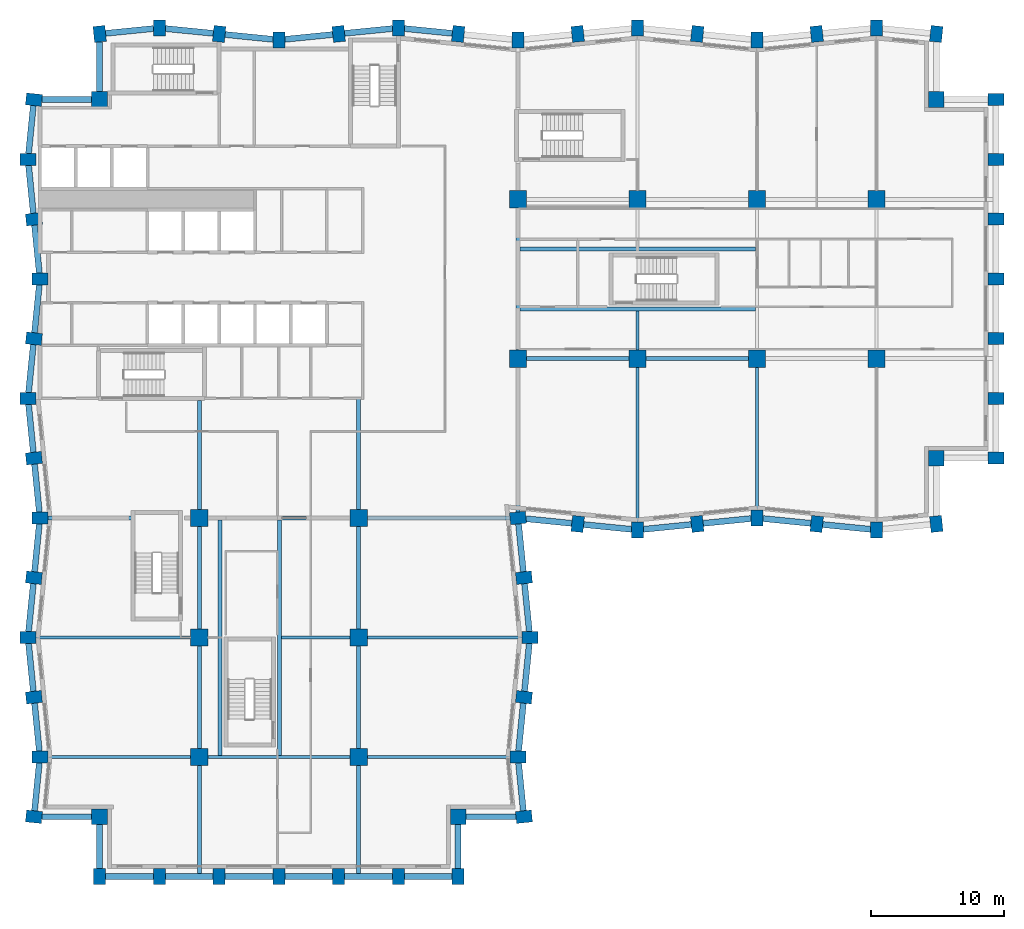
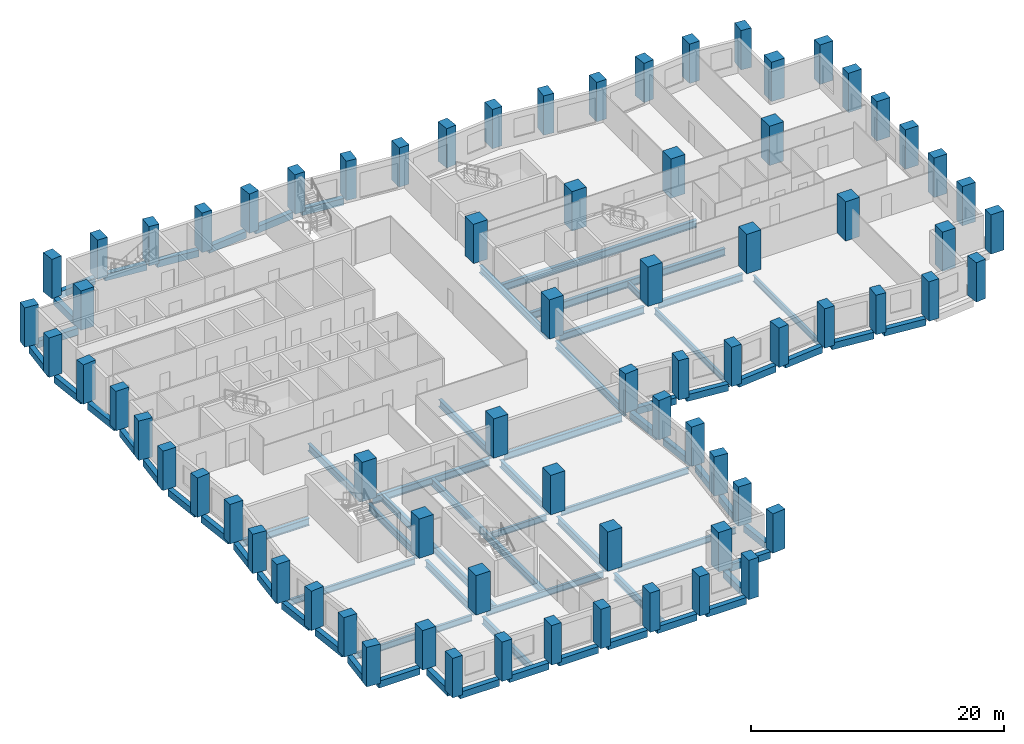
# One storey, part 1 of 11: 74 columns, 69 beams.
"""IFC4 building model written with IfcOpenShell, lengths in metres."""

from ifc_helpers import new_model, si_unit, direction, frame, origin, origin_2d, place, context, subcontext, project, spatial, rectangle, i_section, extrude, material, material_profile, profile_set, type_object, element, save


model = new_model("IFC4")

# Units and contexts
model_context = context("Model", 3, precision=1e-05, world=origin(), true_north=direction((0.0, 1.0)))
body_context = subcontext(model_context, "Body", "Model", "MODEL_VIEW")
ifc_project = project(units=[si_unit("LENGTHUNIT", "METRE"), si_unit("AREAUNIT", "SQUARE_METRE"), si_unit("VOLUMEUNIT", "CUBIC_METRE"), si_unit("PLANEANGLEUNIT", "RADIAN"), si_unit("MASSUNIT", "GRAM", prefix="KILO")], contexts=[model_context])

# Site, building, storey
site_placement = place(None, origin())
site = spatial("IfcSite", under=ifc_project, at=site_placement, CompositionType="ELEMENT")
building_placement = place(site_placement, origin())
building = spatial("IfcBuilding", under=site, at=building_placement, Name="Brondeck Convention Tower", CompositionType="ELEMENT")
storey_placement = place(building_placement, frame((0.0, 0.0, 118.89990234375)))
storey = spatial("IfcBuildingStorey", under=building, at=storey_placement, Name="L28", CompositionType="ELEMENT", Elevation=118.89990234375)

# Columns
ifc_material_1 = material(Name="Concrete C70/85", Category="concrete")
ifc_material_profile_1 = material_profile(ifc_material_1, rectangle(XDim=1.199951171875, YDim=1.199951171875, at=origin_2d()), Name="Corner column 1200x1200 Concrete C70/85")
ifc_profile_set_1 = profile_set([ifc_material_profile_1], Name="Concrete C70/85")
column_type_1 = type_object("IfcColumnType", Name="Corner column 1200x1200 Concrete C70/85", PredefinedType="COLUMN", material=ifc_profile_set_1)
for number, where, z_axis, x_axis, name in (
    (1, (4.5, 4.5, 0.0), (0.0, 0.0, 1.0), (1.0, 0.0, 0.0), "STR-COL-L28-NC-SWB0"),
    (2, (31.5, 4.5, 0.0), (0.0, 0.0, 1.0), (1.0, 0.0, 0.0), "STR-COL-L28-NC-SEB0"),
    (3, (67.5, 31.5, 0.0), (0.0, 0.0, 1.0), (1.0, 0.0, 0.0), "STR-COL-L28-NC-SEA72"),
    (4, (67.5, 58.5, 0.0), (0.0, 0.0, 1.0), (1.0, 0.0, 0.0), "STR-COL-L28-NC-NEA72"),
    (5, (4.5, 58.5, 0.0), (0.0, 0.0, 1.0), (1.0, 0.0, 0.0), "STR-COL-L28-NC-NW"),
):
    element("IfcColumn", number, at=place(storey_placement, frame(where, z_axis=z_axis, x_axis=x_axis)), inside=storey, type_object=column_type_1, Name=name, PredefinedType="COLUMN", context=body_context, shape_type="SweptSolid", body=[
        extrude(rectangle(XDim=1.199951171875, YDim=1.199951171875, at=origin_2d()), origin(), (0.0, 0.0, 1.0), 3.800048828125),
    ])
ifc_material_profile_2 = material_profile(ifc_material_1, rectangle(XDim=1.300048828125, YDim=1.300048828125, at=origin_2d()), Name="Interior column 1300x1300 Concrete C70/85")
ifc_profile_set_2 = profile_set([ifc_material_profile_2], Name="Concrete C70/85")
column_type_2 = type_object("IfcColumnType", Name="Interior column 1300x1300 Concrete C70/85", PredefinedType="COLUMN", material=ifc_profile_set_2)
for number, where, z_axis, x_axis, name in (
    (6, (12.0, 9.0, 0.0), (0.0, 0.0, 1.0), (1.0, 0.0, 0.0), "STR-COL-L28-IC-01"),
    (7, (12.0, 18.0, 0.0), (0.0, 0.0, 1.0), (1.0, 0.0, 0.0), "STR-COL-L28-IC-02"),
    (8, (12.0, 27.0, 0.0), (0.0, 0.0, 1.0), (1.0, 0.0, 0.0), "STR-COL-L28-IC-03"),
    (9, (24.0, 9.0, 0.0), (0.0, 0.0, 1.0), (1.0, 0.0, 0.0), "STR-COL-L28-IC-04"),
    (10, (24.0, 18.0, 0.0), (0.0, 0.0, 1.0), (1.0, 0.0, 0.0), "STR-COL-L28-IC-05"),
    (11, (24.0, 27.0, 0.0), (0.0, 0.0, 1.0), (1.0, 0.0, 0.0), "STR-COL-L28-IC-06"),
    (12, (36.0, 39.0, 0.0), (0.0, 0.0, 1.0), (1.0, 0.0, 0.0), "STR-COL-L28-IC-07"),
    (13, (36.0, 51.0, 0.0), (0.0, 0.0, 1.0), (1.0, 0.0, 0.0), "STR-COL-L28-IC-08"),
    (14, (45.0, 39.0, 0.0), (0.0, 0.0, 1.0), (1.0, 0.0, 0.0), "STR-COL-L28-IC-09"),
    (15, (45.0, 51.0, 0.0), (0.0, 0.0, 1.0), (1.0, 0.0, 0.0), "STR-COL-L28-IC-10"),
    (16, (54.0, 39.0, 0.0), (0.0, 0.0, 1.0), (1.0, 0.0, 0.0), "STR-COL-L28-IC-11"),
    (17, (54.0, 51.0, 0.0), (0.0, 0.0, 1.0), (1.0, 0.0, 0.0), "STR-COL-L28-IC-12"),
    (18, (63.0, 39.0, 0.0), (0.0, 0.0, 1.0), (1.0, 0.0, 0.0), "STR-COL-L28-IC-13"),
    (19, (63.0, 51.0, 0.0), (0.0, 0.0, 1.0), (1.0, 0.0, 0.0), "STR-COL-L28-IC-14"),
):
    element("IfcColumn", number, at=place(storey_placement, frame(where, z_axis=z_axis, x_axis=x_axis)), inside=storey, type_object=column_type_2, Name=name, PredefinedType="COLUMN", context=body_context, shape_type="SweptSolid", body=[
        extrude(rectangle(XDim=1.300048828125, YDim=1.300048828125, at=origin_2d()), origin(), (0.0, 0.0, 1.0), 3.800048828125),
    ])
ifc_material_profile_3 = material_profile(ifc_material_1, rectangle(XDim=0.89990234375, YDim=1.199951171875, at=origin_2d()), Name="Perimeter pier 900x1200 Concrete C70/85")
ifc_profile_set_3 = profile_set([ifc_material_profile_3], Name="Concrete C70/85")
column_type_3 = type_object("IfcColumnType", Name="Perimeter pier 900x1200 Concrete C70/85", PredefinedType="COLUMN", material=ifc_profile_set_3)
for number, where, z_axis, x_axis, name in (
    (20, (4.5, 0.0, 0.0), (0.0, 0.0, 1.0), (1.0, 0.0, 0.0), "STR-COL-L28-PC-B-S0-01"),
    (21, (9.0, 0.0, 0.0), (0.0, 0.0, 1.0), (1.0, 0.0, 0.0), "STR-COL-L28-PC-B-S0-02"),
    (22, (13.5, 0.0, 0.0), (0.0, 0.0, 1.0), (1.0, 0.0, 0.0), "STR-COL-L28-PC-B-S0-03"),
    (23, (18.0, 0.0, 0.0), (0.0, 0.0, 1.0), (1.0, 0.0, 0.0), "STR-COL-L28-PC-B-S0-04"),
    (24, (22.5, 0.0, 0.0), (0.0, 0.0, 1.0), (1.0, 0.0, 0.0), "STR-COL-L28-PC-B-S0-05"),
    (25, (27.0, 0.0, 0.0), (0.0, 0.0, 1.0), (1.0, 0.0, 0.0), "STR-COL-L28-PC-B-S0-06"),
    (26, (31.5, 0.0, 0.0), (0.0, 0.0, 1.0), (1.0, 0.0, 0.0), "STR-COL-L28-PC-B-S0-07"),
    (27, (36.449951171875, 4.5, 0.0), (0.0, 0.0, 1.0), (-0.0995038382, 0.995037178292, 0.0), "STR-COL-L28-PC-B-E-05"),
    (28, (36.0, 9.0, 0.0), (0.0, 0.0, 1.0), (0.0, 1.0, 0.0), "STR-COL-L28-PC-B-E-04"),
    (29, (36.449951171875, 13.5, 0.0), (0.0, 0.0, 1.0), (0.0995038382, 0.995037178292, 0.0), "STR-COL-L28-PC-B-E-03"),
    (30, (36.89990234375, 18.0, 0.0), (0.0, 0.0, 1.0), (0.0, 1.0, 0.0), "STR-COL-L28-PC-B-E-02"),
    (31, (36.449951171875, 22.5, 0.0), (0.0, 0.0, 1.0), (-0.0995038382, 0.995037178292, 0.0), "STR-COL-L28-PC-B-E-01"),
    (32, (36.0, 27.0, 0.0), (0.0, 0.0, 1.0), (-0.0995038382, 0.995037178292, 0.0), "STR-COL-L28-PC-B-E-00"),
    (33, (40.5, 26.550048828125, 0.0), (0.0, 0.0, 1.0), (0.995037178292, -0.0995038382, 0.0), "STR-COL-L28-PC-A-S-01"),
    (34, (45.0, 26.10009765625, 0.0), (0.0, 0.0, 1.0), (1.0, 0.0, 0.0), "STR-COL-L28-PC-A-S-02"),
    (35, (49.5, 26.550048828125, 0.0), (0.0, 0.0, 1.0), (0.995037178292, 0.0995038382, 0.0), "STR-COL-L28-PC-A-S-03"),
    (36, (54.0, 27.0, 0.0), (0.0, 0.0, 1.0), (1.0, 0.0, 0.0), "STR-COL-L28-PC-A-S-04"),
    (37, (58.5, 26.550048828125, 0.0), (0.0, 0.0, 1.0), (0.995037178292, -0.0995038382, 0.0), "STR-COL-L28-PC-A-S-05"),
    (38, (63.0, 26.10009765625, 0.0), (0.0, 0.0, 1.0), (1.0, 0.0, 0.0), "STR-COL-L28-PC-A-S-06"),
    (39, (67.5, 26.550048828125, 0.0), (0.0, 0.0, 1.0), (0.995037178292, 0.0995038382, 0.0), "STR-COL-L28-PC-A-S-07"),
    (40, (72.0, 31.5, 0.0), (0.0, 0.0, 1.0), (0.0, 1.0, 0.0), "STR-COL-L28-PC-A-E72-01"),
    (41, (72.0, 36.0, 0.0), (0.0, 0.0, 1.0), (0.0, 1.0, 0.0), "STR-COL-L28-PC-A-E72-02"),
    (42, (72.0, 40.5, 0.0), (0.0, 0.0, 1.0), (0.0, 1.0, 0.0), "STR-COL-L28-PC-A-E72-03"),
    (43, (72.0, 45.0, 0.0), (0.0, 0.0, 1.0), (0.0, 1.0, 0.0), "STR-COL-L28-PC-A-E72-04"),
    (44, (72.0, 49.5, 0.0), (0.0, 0.0, 1.0), (0.0, 1.0, 0.0), "STR-COL-L28-PC-A-E72-05"),
    (45, (72.0, 54.0, 0.0), (0.0, 0.0, 1.0), (0.0, 1.0, 0.0), "STR-COL-L28-PC-A-E72-06"),
    (46, (72.0, 58.5, 0.0), (0.0, 0.0, 1.0), (0.0, 1.0, 0.0), "STR-COL-L28-PC-A-E72-07"),
    (47, (67.5, 63.449951171875, 0.0), (0.0, 0.0, 1.0), (-0.995037178292, 0.0995038382, 0.0), "STR-COL-L28-PC-A-N-15"),
    (48, (63.0, 63.89990234375, 0.0), (0.0, 0.0, 1.0), (-1.0, 0.0, 0.0), "STR-COL-L28-PC-A-N-14"),
    (49, (58.5, 63.449951171875, 0.0), (0.0, 0.0, 1.0), (-0.995037178292, -0.0995038382, 0.0), "STR-COL-L28-PC-A-N-13"),
    (50, (54.0, 63.0, 0.0), (0.0, 0.0, 1.0), (-1.0, 0.0, 0.0), "STR-COL-L28-PC-A-N-12"),
    (51, (49.5, 63.449951171875, 0.0), (0.0, 0.0, 1.0), (-0.995037178292, 0.0995038382, 0.0), "STR-COL-L28-PC-A-N-11"),
    (52, (45.0, 63.89990234375, 0.0), (0.0, 0.0, 1.0), (-1.0, 0.0, 0.0), "STR-COL-L28-PC-A-N-10"),
    (53, (40.5, 63.449951171875, 0.0), (0.0, 0.0, 1.0), (-0.995037178292, -0.0995038382, 0.0), "STR-COL-L28-PC-A-N-09"),
    (54, (36.0, 63.0, 0.0), (0.0, 0.0, 1.0), (-1.0, 0.0, 0.0), "STR-COL-L28-PC-A-N-08"),
    (55, (31.5, 63.449951171875, 0.0), (0.0, 0.0, 1.0), (-0.995037178292, 0.0995038382, 0.0), "STR-COL-L28-PC-A-N-07"),
    (56, (27.0, 63.89990234375, 0.0), (0.0, 0.0, 1.0), (-1.0, 0.0, 0.0), "STR-COL-L28-PC-A-N-06"),
    (57, (22.5, 63.449951171875, 0.0), (0.0, 0.0, 1.0), (-0.995037178292, -0.0995038382, 0.0), "STR-COL-L28-PC-A-N-05"),
    (58, (18.0, 63.0, 0.0), (0.0, 0.0, 1.0), (-1.0, 0.0, 0.0), "STR-COL-L28-PC-A-N-04"),
    (59, (13.5, 63.449951171875, 0.0), (0.0, 0.0, 1.0), (-0.995037178292, 0.0995038382, 0.0), "STR-COL-L28-PC-A-N-03"),
    (60, (9.0, 63.89990234375, 0.0), (0.0, 0.0, 1.0), (-1.0, 0.0, 0.0), "STR-COL-L28-PC-A-N-02"),
    (61, (4.5, 63.449951171875, 0.0), (0.0, 0.0, 1.0), (-0.995037178292, -0.0995038382, 0.0), "STR-COL-L28-PC-A-N-01"),
    (62, (-0.449951171875, 58.5, 0.0), (0.0, 0.0, 1.0), (-0.0995038382, -0.995037178292, 0.0), "STR-COL-L28-PC-B-W-01"),
    (63, (-0.89990234375, 54.0, 0.0), (0.0, 0.0, 1.0), (0.0, -1.0, 0.0), "STR-COL-L28-PC-B-W-02"),
    (64, (-0.449951171875, 49.5, 0.0), (0.0, 0.0, 1.0), (0.0995038382, -0.995037178292, 0.0), "STR-COL-L28-PC-B-W-03"),
    (65, (0.0, 45.0, 0.0), (0.0, 0.0, 1.0), (0.0, -1.0, 0.0), "STR-COL-L28-PC-B-W-04"),
    (66, (-0.449951171875, 40.5, 0.0), (0.0, 0.0, 1.0), (-0.0995038382, -0.995037178292, 0.0), "STR-COL-L28-PC-B-W-05"),
    (67, (-0.89990234375, 36.0, 0.0), (0.0, 0.0, 1.0), (0.0, -1.0, 0.0), "STR-COL-L28-PC-B-W-06"),
    (68, (-0.449951171875, 31.5, 0.0), (0.0, 0.0, 1.0), (0.0995038382, -0.995037178292, 0.0), "STR-COL-L28-PC-B-W-07"),
    (69, (0.0, 27.0, 0.0), (0.0, 0.0, 1.0), (0.0, -1.0, 0.0), "STR-COL-L28-PC-B-W-08"),
    (70, (-0.449951171875, 22.5, 0.0), (0.0, 0.0, 1.0), (-0.0995038382, -0.995037178292, 0.0), "STR-COL-L28-PC-B-W-09"),
    (71, (-0.89990234375, 18.0, 0.0), (0.0, 0.0, 1.0), (0.0, -1.0, 0.0), "STR-COL-L28-PC-B-W-10"),
    (72, (-0.449951171875, 13.5, 0.0), (0.0, 0.0, 1.0), (0.0995038382, -0.995037178292, 0.0), "STR-COL-L28-PC-B-W-11"),
    (73, (0.0, 9.0, 0.0), (0.0, 0.0, 1.0), (0.0, -1.0, 0.0), "STR-COL-L28-PC-B-W-12"),
    (74, (-0.449951171875, 4.5, 0.0), (0.0, 0.0, 1.0), (-0.0995038382, -0.995037178292, 0.0), "STR-COL-L28-PC-B-W-13"),
):
    element("IfcColumn", number, at=place(storey_placement, frame(where, z_axis=z_axis, x_axis=x_axis)), inside=storey, type_object=column_type_3, Name=name, PredefinedType="COLUMN", context=body_context, shape_type="SweptSolid", body=[
        extrude(rectangle(XDim=0.89990234375, YDim=1.199951171875, at=origin_2d()), origin(), (0.0, 0.0, 1.0), 3.800048828125),
    ])

# Beams
ifc_material_2 = material(Name="Steel S355", Category="steel")
ifc_material_profile_4 = material_profile(ifc_material_2, i_section(OverallWidth=0.219970703125, OverallDepth=0.60009765625, WebThickness=0.011962890625, FlangeThickness=0.01904296875, FilletRadius=0.02392578125, at=origin_2d()), Name="IPE 600")
ifc_profile_set_4 = profile_set([ifc_material_profile_4], Name="Steel S355")
beam_type_1 = type_object("IfcBeamType", Name="Floor beam IPE 600", PredefinedType="BEAM", material=ifc_profile_set_4)
beam_1_placement = place(storey_placement, frame((45.0, 26.699951171875, -0.599853515625), z_axis=(0.0, 1.0, 0.0), x_axis=(-1.0, 0.0, 0.0)))
element("IfcBeam", 75, at=beam_1_placement, inside=storey, type_object=beam_type_1, Name="STR-FB-L28-001", PredefinedType="BEAM", context=body_context, shape_type="SweptSolid", body=[
    extrude(i_section(OverallWidth=0.219970703125, OverallDepth=0.60009765625, WebThickness=0.011962890625, FlangeThickness=0.01904296875, FilletRadius=0.02392578125, at=origin_2d()), origin(), (0.0, 0.0, 1.0), 11.650146484375),
])
for number, where, z_axis, x_axis, name in (
    (76, (54.0, 27.60009765625, -0.599853515625), (0.0, 1.0, 0.0), (-1.0, 0.0, 0.0), "STR-FB-L28-003"),
    (77, (0.60009765625, 9.0, -0.599853515625), (1.0, 0.0, 0.0), (0.0, 1.0, 0.0), "STR-FB-L28-009"),
):
    element("IfcBeam", number, at=place(storey_placement, frame(where, z_axis=z_axis, x_axis=x_axis)), inside=storey, type_object=beam_type_1, Name=name, PredefinedType="BEAM", context=body_context, shape_type="SweptSolid", body=[
        extrude(i_section(OverallWidth=0.219970703125, OverallDepth=0.60009765625, WebThickness=0.011962890625, FlangeThickness=0.01904296875, FilletRadius=0.02392578125, at=origin_2d()), origin(), (0.0, 0.0, 1.0), 10.75),
    ])
beam_2_placement = place(storey_placement, frame((12.64990234375, 9.0, -0.599853515625), z_axis=(1.0, 0.0, 0.0), x_axis=(0.0, 1.0, 0.0)))
element("IfcBeam", 78, at=beam_2_placement, inside=storey, type_object=beam_type_1, Name="STR-FB-L28-010", PredefinedType="BEAM", context=body_context, shape_type="SweptSolid", body=[
    extrude(i_section(OverallWidth=0.219970703125, OverallDepth=0.60009765625, WebThickness=0.011962890625, FlangeThickness=0.01904296875, FilletRadius=0.02392578125, at=origin_2d()), origin(), (0.0, 0.0, 1.0), 10.7001953125),
])
beam_3_placement = place(storey_placement, frame((24.64990234375, 9.0, -0.599853515625), z_axis=(1.0, 0.0, 0.0), x_axis=(0.0, 1.0, 0.0)))
element("IfcBeam", 79, at=beam_3_placement, inside=storey, type_object=beam_type_1, Name="STR-FB-L28-011", PredefinedType="BEAM", context=body_context, shape_type="SweptSolid", body=[
    extrude(i_section(OverallWidth=0.219970703125, OverallDepth=0.60009765625, WebThickness=0.011962890625, FlangeThickness=0.01904296875, FilletRadius=0.02392578125, at=origin_2d()), origin(), (0.0, 0.0, 1.0), 10.75),
])
for number, where, z_axis, x_axis, name in (
    (80, (-0.300048828125, 18.0, -0.599853515625), (1.0, 0.0, 0.0), (0.0, 1.0, 0.0), "STR-FB-L28-012"),
    (81, (24.64990234375, 18.0, -0.599853515625), (1.0, 0.0, 0.0), (0.0, 1.0, 0.0), "STR-FB-L28-013"),
):
    element("IfcBeam", number, at=place(storey_placement, frame(where, z_axis=z_axis, x_axis=x_axis)), inside=storey, type_object=beam_type_1, Name=name, PredefinedType="BEAM", context=body_context, shape_type="SweptSolid", body=[
        extrude(i_section(OverallWidth=0.219970703125, OverallDepth=0.60009765625, WebThickness=0.011962890625, FlangeThickness=0.01904296875, FilletRadius=0.02392578125, at=origin_2d()), origin(), (0.0, 0.0, 1.0), 11.650146484375),
    ])
beam_4_placement = place(storey_placement, frame((45.0, 39.64990234375, -0.599853515625), z_axis=(0.0, 1.0, 0.0), x_axis=(-1.0, 0.0, 0.0)))
element("IfcBeam", 82, at=beam_4_placement, inside=storey, type_object=beam_type_1, Name="STR-FB-L28-014", PredefinedType="BEAM", context=body_context, shape_type="SweptSolid", body=[
    extrude(i_section(OverallWidth=0.219970703125, OverallDepth=0.60009765625, WebThickness=0.011962890625, FlangeThickness=0.01904296875, FilletRadius=0.02392578125, at=origin_2d()), origin(), (0.0, 0.0, 1.0), 2.9501953125),
])
beam_5_placement = place(storey_placement, frame((18.199951171875, 18.0, -0.599853515625), z_axis=(1.0, 0.0, 0.0), x_axis=(0.0, 1.0, 0.0)))
element("IfcBeam", 83, at=beam_5_placement, inside=storey, type_object=beam_type_1, Name="STR-FB-L28-016", PredefinedType="BEAM", context=body_context, shape_type="SweptSolid", body=[
    extrude(i_section(OverallWidth=0.219970703125, OverallDepth=0.60009765625, WebThickness=0.011962890625, FlangeThickness=0.01904296875, FilletRadius=0.02392578125, at=origin_2d()), origin(), (0.0, 0.0, 1.0), 5.150146484375),
])
ifc_material_profile_5 = material_profile(ifc_material_2, i_section(OverallWidth=0.300048828125, OverallDepth=0.699951171875, WebThickness=0.01708984375, FlangeThickness=0.031982421875, FilletRadius=0.027099609375, at=origin_2d()), Name="HEB 700")
ifc_profile_set_5 = profile_set([ifc_material_profile_5], Name="Steel S355")
beam_type_2 = type_object("IfcBeamType", Name="Girder HEB 700", PredefinedType="BEAM", material=ifc_profile_set_5)
for number, where, z_axis, x_axis, name in (
    (84, (36.64990234375, 39.0, -0.64990234375), (1.0, 0.0, 0.0), (0.0, 1.0, 0.0), "STR-GR-L28-001"),
    (85, (45.64990234375, 39.0, -0.64990234375), (1.0, 0.0, 0.0), (0.0, 1.0, 0.0), "STR-GR-L28-002"),
):
    element("IfcBeam", number, at=place(storey_placement, frame(where, z_axis=z_axis, x_axis=x_axis)), inside=storey, type_object=beam_type_2, Name=name, PredefinedType="BEAM", context=body_context, shape_type="SweptSolid", body=[
        extrude(i_section(OverallWidth=0.300048828125, OverallDepth=0.699951171875, WebThickness=0.01708984375, FlangeThickness=0.031982421875, FilletRadius=0.027099609375, at=origin_2d()), origin(), (0.0, 0.0, 1.0), 7.7001953125),
    ])
beam_6_placement = place(storey_placement, frame((36.0, 27.4521484375, -0.64990234375), z_axis=(0.0, 1.0, 0.0), x_axis=(-1.0, 0.0, 0.0)))
element("IfcBeam", 86, at=beam_6_placement, inside=storey, type_object=beam_type_2, Name="STR-GR-L28-009", PredefinedType="BEAM", context=body_context, shape_type="SweptSolid", body=[
    extrude(i_section(OverallWidth=0.300048828125, OverallDepth=0.699951171875, WebThickness=0.01708984375, FlangeThickness=0.031982421875, FilletRadius=0.027099609375, at=origin_2d()), origin(), (0.0, 0.0, 1.0), 10.89794921875),
])
beam_7_placement = place(storey_placement, frame((36.0, 39.64990234375, -0.64990234375), z_axis=(0.0, 1.0, 0.0), x_axis=(-1.0, 0.0, 0.0)))
element("IfcBeam", 87, at=beam_7_placement, inside=storey, type_object=beam_type_2, Name="STR-GR-L28-010", PredefinedType="BEAM", context=body_context, shape_type="SweptSolid", body=[
    extrude(i_section(OverallWidth=0.300048828125, OverallDepth=0.699951171875, WebThickness=0.01708984375, FlangeThickness=0.031982421875, FilletRadius=0.027099609375, at=origin_2d()), origin(), (0.0, 0.0, 1.0), 10.7001953125),
])
beam_8_placement = place(storey_placement, frame((12.0, 35.85009765625, -0.64990234375), z_axis=(0.0, -1.0, 0.0), x_axis=(1.0, 0.0, 0.0)))
element("IfcBeam", 88, at=beam_8_placement, inside=storey, type_object=beam_type_2, Name="STR-GR-L28-013", PredefinedType="BEAM", context=body_context, shape_type="SweptSolid", body=[
    extrude(i_section(OverallWidth=0.300048828125, OverallDepth=0.699951171875, WebThickness=0.01708984375, FlangeThickness=0.031982421875, FilletRadius=0.027099609375, at=origin_2d()), origin(), (0.0, 0.0, 1.0), 8.2001953125),
])
for number, where, z_axis, x_axis, name in (
    (89, (12.0, 26.35009765625, -0.64990234375), (0.0, -1.0, 0.0), (1.0, 0.0, 0.0), "STR-GR-L28-014"),
    (90, (12.0, 17.35009765625, -0.64990234375), (0.0, -1.0, 0.0), (1.0, 0.0, 0.0), "STR-GR-L28-015"),
):
    element("IfcBeam", number, at=place(storey_placement, frame(where, z_axis=z_axis, x_axis=x_axis)), inside=storey, type_object=beam_type_2, Name=name, PredefinedType="BEAM", context=body_context, shape_type="SweptSolid", body=[
        extrude(i_section(OverallWidth=0.300048828125, OverallDepth=0.699951171875, WebThickness=0.01708984375, FlangeThickness=0.031982421875, FilletRadius=0.027099609375, at=origin_2d()), origin(), (0.0, 0.0, 1.0), 7.7001953125),
    ])
beam_9_placement = place(storey_placement, frame((12.0, 8.35009765625, -0.64990234375), z_axis=(0.0, -1.0, 0.0), x_axis=(1.0, 0.0, 0.0)))
element("IfcBeam", 91, at=beam_9_placement, inside=storey, type_object=beam_type_2, Name="STR-GR-L28-016", PredefinedType="BEAM", context=body_context, shape_type="SweptSolid", body=[
    extrude(i_section(OverallWidth=0.300048828125, OverallDepth=0.699951171875, WebThickness=0.01708984375, FlangeThickness=0.031982421875, FilletRadius=0.027099609375, at=origin_2d()), origin(), (0.0, 0.0, 1.0), 8.125),
])
beam_10_placement = place(storey_placement, frame((24.0, 35.955078125, -0.64990234375), z_axis=(0.0, -1.0, 0.0), x_axis=(1.0, 0.0, 0.0)))
element("IfcBeam", 92, at=beam_10_placement, inside=storey, type_object=beam_type_2, Name="STR-GR-L28-017", PredefinedType="BEAM", context=body_context, shape_type="SweptSolid", body=[
    extrude(i_section(OverallWidth=0.300048828125, OverallDepth=0.699951171875, WebThickness=0.01708984375, FlangeThickness=0.031982421875, FilletRadius=0.027099609375, at=origin_2d()), origin(), (0.0, 0.0, 1.0), 8.30517578125),
])
for number, where, z_axis, x_axis, name in (
    (93, (24.0, 26.35009765625, -0.64990234375), (0.0, -1.0, 0.0), (1.0, 0.0, 0.0), "STR-GR-L28-018"),
    (94, (24.0, 17.35009765625, -0.64990234375), (0.0, -1.0, 0.0), (1.0, 0.0, 0.0), "STR-GR-L28-019"),
):
    element("IfcBeam", number, at=place(storey_placement, frame(where, z_axis=z_axis, x_axis=x_axis)), inside=storey, type_object=beam_type_2, Name=name, PredefinedType="BEAM", context=body_context, shape_type="SweptSolid", body=[
        extrude(i_section(OverallWidth=0.300048828125, OverallDepth=0.699951171875, WebThickness=0.01708984375, FlangeThickness=0.031982421875, FilletRadius=0.027099609375, at=origin_2d()), origin(), (0.0, 0.0, 1.0), 7.7001953125),
    ])
beam_11_placement = place(storey_placement, frame((24.0, 8.35009765625, -0.64990234375), z_axis=(0.0, -1.0, 0.0), x_axis=(1.0, 0.0, 0.0)))
element("IfcBeam", 95, at=beam_11_placement, inside=storey, type_object=beam_type_2, Name="STR-GR-L28-020", PredefinedType="BEAM", context=body_context, shape_type="SweptSolid", body=[
    extrude(i_section(OverallWidth=0.300048828125, OverallDepth=0.699951171875, WebThickness=0.01708984375, FlangeThickness=0.031982421875, FilletRadius=0.027099609375, at=origin_2d()), origin(), (0.0, 0.0, 1.0), 8.125),
])
beam_12_placement = place(storey_placement, frame((0.60009765625, 27.0, -0.64990234375), z_axis=(1.0, 0.0, 0.0), x_axis=(0.0, 1.0, 0.0)))
element("IfcBeam", 96, at=beam_12_placement, inside=storey, type_object=beam_type_2, Name="STR-GR-L28-021", PredefinedType="BEAM", context=body_context, shape_type="SweptSolid", body=[
    extrude(i_section(OverallWidth=0.300048828125, OverallDepth=0.699951171875, WebThickness=0.01708984375, FlangeThickness=0.031982421875, FilletRadius=0.027099609375, at=origin_2d()), origin(), (0.0, 0.0, 1.0), 6.27978515625),
])
beam_13_placement = place(storey_placement, frame((12.64990234375, 27.0, -0.64990234375), z_axis=(1.0, 0.0, 0.0), x_axis=(0.0, 1.0, 0.0)))
element("IfcBeam", 97, at=beam_13_placement, inside=storey, type_object=beam_type_2, Name="STR-GR-L28-022", PredefinedType="BEAM", context=body_context, shape_type="SweptSolid", body=[
    extrude(i_section(OverallWidth=0.300048828125, OverallDepth=0.699951171875, WebThickness=0.01708984375, FlangeThickness=0.031982421875, FilletRadius=0.027099609375, at=origin_2d()), origin(), (0.0, 0.0, 1.0), 10.7001953125),
])
beam_14_placement = place(storey_placement, frame((24.64990234375, 27.0, -0.64990234375), z_axis=(1.0, 0.0, 0.0), x_axis=(0.0, 1.0, 0.0)))
element("IfcBeam", 98, at=beam_14_placement, inside=storey, type_object=beam_type_2, Name="STR-GR-L28-023", PredefinedType="BEAM", context=body_context, shape_type="SweptSolid", body=[
    extrude(i_section(OverallWidth=0.300048828125, OverallDepth=0.699951171875, WebThickness=0.01708984375, FlangeThickness=0.031982421875, FilletRadius=0.027099609375, at=origin_2d()), origin(), (0.0, 0.0, 1.0), 10.7470703125),
])
for number, where, z_axis, x_axis, name in (
    (99, (36.14990234375, 42.75, -0.64990234375), (1.0, 0.0, 0.0), (0.0, 1.0, 0.0), "STR-GR-L28-024"),
    (100, (36.14990234375, 47.25, -0.64990234375), (1.0, 0.0, 0.0), (0.0, 1.0, 0.0), "STR-GR-L28-025"),
    (101, (13.550048828125, 9.110107421875, -0.64990234375), (0.0, 1.0, 0.0), (-1.0, 0.0, 0.0), "STR-GR-L28-026"),
    (102, (18.050048828125, 9.110107421875, -0.64990234375), (0.0, 1.0, 0.0), (-1.0, 0.0, 0.0), "STR-GR-L28-027"),
):
    element("IfcBeam", number, at=place(storey_placement, frame(where, z_axis=z_axis, x_axis=x_axis)), inside=storey, type_object=beam_type_2, Name=name, PredefinedType="BEAM", context=body_context, shape_type="SweptSolid", body=[
        extrude(i_section(OverallWidth=0.300048828125, OverallDepth=0.699951171875, WebThickness=0.01708984375, FlangeThickness=0.031982421875, FilletRadius=0.027099609375, at=origin_2d()), origin(), (0.0, 0.0, 1.0), 17.739990234375),
    ])
ifc_material_profile_6 = material_profile(ifc_material_1, rectangle(XDim=0.449951171875, YDim=0.64990234375, at=origin_2d()), Name="Precast spandrel 450x650 Concrete C70/85")
ifc_profile_set_6 = profile_set([ifc_material_profile_6], Name="Concrete C70/85")
beam_type_3 = type_object("IfcBeamType", Name="Precast spandrel 450x650 Concrete C70/85", PredefinedType="SPANDREL", material=ifc_profile_set_6)
for number, where, z_axis, x_axis, name in (
    (103, (4.949951171875, 0.0, -0.324951171875), (1.0, 0.0, 0.0), (0.0, 1.0, 0.0), "STR-SP-L28-001"),
    (104, (9.449951171875, 0.0, -0.324951171875), (1.0, 0.0, 0.0), (0.0, 1.0, 0.0), "STR-SP-L28-002"),
    (105, (13.949951171875, 0.0, -0.324951171875), (1.0, 0.0, 0.0), (0.0, 1.0, 0.0), "STR-SP-L28-003"),
    (106, (18.449951171875, 0.0, -0.324951171875), (1.0, 0.0, 0.0), (0.0, 1.0, 0.0), "STR-SP-L28-004"),
    (107, (22.949951171875, 0.0, -0.324951171875), (1.0, 0.0, 0.0), (0.0, 1.0, 0.0), "STR-SP-L28-005"),
    (108, (27.449951171875, 0.0, -0.324951171875), (1.0, 0.0, 0.0), (0.0, 1.0, 0.0), "STR-SP-L28-006"),
):
    element("IfcBeam", number, at=place(storey_placement, frame(where, z_axis=z_axis, x_axis=x_axis)), inside=storey, type_object=beam_type_3, Name=name, PredefinedType="SPANDREL", context=body_context, shape_type="SweptSolid", body=[
        extrude(rectangle(XDim=0.449951171875, YDim=0.64990234375, at=origin_2d()), origin(), (0.0, 0.0, 1.0), 3.60009765625),
    ])
beam_15_placement = place(storey_placement, frame((31.5, 0.60009765625, -0.324951171875), z_axis=(0.0, 1.0, 0.0), x_axis=(-1.0, 0.0, 0.0)))
element("IfcBeam", 109, at=beam_15_placement, inside=storey, type_object=beam_type_3, Name="STR-SP-L28-007", PredefinedType="SPANDREL", context=body_context, shape_type="SweptSolid", body=[
    extrude(rectangle(XDim=0.449951171875, YDim=0.64990234375, at=origin_2d()), origin(), (0.0, 0.0, 1.0), 3.2998046875),
])
beam_16_placement = place(storey_placement, frame((32.10009765625, 4.5, -0.324951171875), z_axis=(1.0, 0.0, 0.0), x_axis=(0.0, 1.0, 0.0)))
element("IfcBeam", 110, at=beam_16_placement, inside=storey, type_object=beam_type_3, Name="STR-SP-L28-008", PredefinedType="SPANDREL", context=body_context, shape_type="SweptSolid", body=[
    extrude(rectangle(XDim=0.449951171875, YDim=0.64990234375, at=origin_2d()), origin(), (0.0, 0.0, 1.0), 3.746826171875),
])
for number, where, z_axis, x_axis, name in (
    (111, (36.4052734375, 4.94775390625, -0.324951171875), (-0.099537103649, 0.995033851182, 0.0), (-0.995033851182, -0.099537103649, 0.0), "STR-SP-L28-009"),
    (112, (36.044921875, 9.449951171875, -0.324951171875), (0.099537103649, 0.995033851182, 0.0), (-0.995033851182, 0.099537103649, 0.0), "STR-SP-L28-010"),
    (113, (36.494873046875, 13.94775390625, -0.324951171875), (0.099470334057, 0.995040528141, 0.0), (-0.995040528141, 0.099470334057, 0.0), "STR-SP-L28-011"),
    (114, (36.85498046875, 18.449951171875, -0.324951171875), (-0.099470334057, 0.995040528141, 0.0), (-0.995040528141, -0.099470334057, 0.0), "STR-SP-L28-012"),
):
    element("IfcBeam", number, at=place(storey_placement, frame(where, z_axis=z_axis, x_axis=x_axis)), inside=storey, type_object=beam_type_3, Name=name, PredefinedType="SPANDREL", context=body_context, shape_type="SweptSolid", body=[
        extrude(rectangle(XDim=0.449951171875, YDim=0.64990234375, at=origin_2d()), origin(), (0.0, 0.0, 1.0), 3.620361328125),
    ])
beam_17_placement = place(storey_placement, frame((36.4052734375, 22.94775390625, -0.324951171875), z_axis=(-0.099543756114, 0.995033185687, 0.0), x_axis=(-0.995033185687, -0.099543756114, 0.0)))
element("IfcBeam", 115, at=beam_17_placement, inside=storey, type_object=beam_type_3, Name="STR-SP-L28-013", PredefinedType="SPANDREL", context=body_context, shape_type="SweptSolid", body=[
    extrude(rectangle(XDim=0.449951171875, YDim=0.64990234375, at=origin_2d()), origin(), (0.0, 0.0, 1.0), 3.62255859375),
])
beam_18_placement = place(storey_placement, frame((36.609130859375, 26.939208984375, -0.324951171875), z_axis=(0.995032299082, -0.099552618167, 0.0), x_axis=(0.099552618167, 0.995032299082, 0.0)))
element("IfcBeam", 116, at=beam_18_placement, inside=storey, type_object=beam_type_3, Name="STR-SP-L28-014", PredefinedType="SPANDREL", context=body_context, shape_type="SweptSolid", body=[
    extrude(rectangle(XDim=0.449951171875, YDim=0.64990234375, at=origin_2d()), origin(), (0.0, 0.0, 1.0), 3.460205078125),
])
for number, where, z_axis, x_axis, name in (
    (117, (40.94775390625, 26.505126953125, -0.324951171875), (0.995040528141, -0.099470334057, 0.0), (0.099470334057, 0.995040528141, 0.0), "STR-SP-L28-015"),
    (118, (45.449951171875, 26.14501953125, -0.324951171875), (0.995040528141, 0.099470334057, 0.0), (-0.099470334057, 0.995040528141, 0.0), "STR-SP-L28-016"),
    (119, (49.94775390625, 26.5947265625, -0.324951171875), (0.995033851182, 0.099537103649, 0.0), (-0.099537103649, 0.995033851182, 0.0), "STR-SP-L28-017"),
    (120, (54.449951171875, 26.955078125, -0.324951171875), (0.995033851182, -0.099537103649, 0.0), (0.099537103649, 0.995033851182, 0.0), "STR-SP-L28-018"),
    (121, (58.94775390625, 26.505126953125, -0.324951171875), (0.995040528141, -0.099470334057, 0.0), (0.099470334057, 0.995040528141, 0.0), "STR-SP-L28-019"),
    (122, (31.05224609375, 63.494873046875, -0.324951171875), (-0.995040528141, 0.099470334057, 0.0), (-0.099470334057, -0.995040528141, 0.0), "STR-SP-L28-039"),
    (123, (26.550048828125, 63.85498046875, -0.324951171875), (-0.995040528141, -0.099470334057, 0.0), (0.099470334057, -0.995040528141, 0.0), "STR-SP-L28-040"),
    (124, (22.05224609375, 63.4052734375, -0.324951171875), (-0.995033851182, -0.099537103649, 0.0), (0.099537103649, -0.995033851182, 0.0), "STR-SP-L28-041"),
    (125, (17.550048828125, 63.044921875, -0.324951171875), (-0.995033851182, 0.099537103649, 0.0), (-0.099537103649, -0.995033851182, 0.0), "STR-SP-L28-042"),
    (126, (13.05224609375, 63.494873046875, -0.324951171875), (-0.995040528141, 0.099470334057, 0.0), (-0.099470334057, -0.995040528141, 0.0), "STR-SP-L28-043"),
    (127, (8.550048828125, 63.85498046875, -0.324951171875), (-0.995040528141, -0.099470334057, 0.0), (0.099470334057, -0.995040528141, 0.0), "STR-SP-L28-044"),
):
    element("IfcBeam", number, at=place(storey_placement, frame(where, z_axis=z_axis, x_axis=x_axis)), inside=storey, type_object=beam_type_3, Name=name, PredefinedType="SPANDREL", context=body_context, shape_type="SweptSolid", body=[
        extrude(rectangle(XDim=0.449951171875, YDim=0.64990234375, at=origin_2d()), origin(), (0.0, 0.0, 1.0), 3.620361328125),
    ])
for number, where, z_axis, x_axis, name in (
    (128, (4.5, 62.846923828125, -0.324951171875), (0.0, -1.0, 0.0), (1.0, 0.0, 0.0), "STR-SP-L28-045"),
    (129, (3.89990234375, 58.5, -0.324951171875), (-1.0, 0.0, 0.0), (0.0, -1.0, 0.0), "STR-SP-L28-046"),
):
    element("IfcBeam", number, at=place(storey_placement, frame(where, z_axis=z_axis, x_axis=x_axis)), inside=storey, type_object=beam_type_3, Name=name, PredefinedType="SPANDREL", context=body_context, shape_type="SweptSolid", body=[
        extrude(rectangle(XDim=0.449951171875, YDim=0.64990234375, at=origin_2d()), origin(), (0.0, 0.0, 1.0), 3.746826171875),
    ])
for number, where, z_axis, x_axis, name in (
    (130, (-0.494873046875, 58.05224609375, -0.324951171875), (-0.099470334057, -0.995040528141, 0.0), (0.995040528141, -0.099470334057, 0.0), "STR-SP-L28-047"),
    (131, (-0.85498046875, 53.550048828125, -0.324951171875), (0.099470334057, -0.995040528141, 0.0), (0.995040528141, 0.099470334057, 0.0), "STR-SP-L28-048"),
    (132, (-0.4052734375, 49.05224609375, -0.324951171875), (0.099537103649, -0.995033851182, 0.0), (0.995033851182, 0.099537103649, 0.0), "STR-SP-L28-049"),
    (133, (-0.044921875, 44.550048828125, -0.324951171875), (-0.099537103649, -0.995033851182, 0.0), (0.995033851182, -0.099537103649, 0.0), "STR-SP-L28-050"),
    (134, (-0.494873046875, 40.05224609375, -0.324951171875), (-0.099470334057, -0.995040528141, 0.0), (0.995040528141, -0.099470334057, 0.0), "STR-SP-L28-051"),
    (135, (-0.85498046875, 35.550048828125, -0.324951171875), (0.099470334057, -0.995040528141, 0.0), (0.995040528141, 0.099470334057, 0.0), "STR-SP-L28-052"),
    (136, (-0.4052734375, 31.05224609375, -0.324951171875), (0.099537103649, -0.995033851182, 0.0), (0.995033851182, 0.099537103649, 0.0), "STR-SP-L28-053"),
    (137, (-0.044921875, 26.550048828125, -0.324951171875), (-0.099537103649, -0.995033851182, 0.0), (0.995033851182, -0.099537103649, 0.0), "STR-SP-L28-054"),
    (138, (-0.494873046875, 22.05224609375, -0.324951171875), (-0.099470334057, -0.995040528141, 0.0), (0.995040528141, -0.099470334057, 0.0), "STR-SP-L28-055"),
    (139, (-0.85498046875, 17.550048828125, -0.324951171875), (0.099470334057, -0.995040528141, 0.0), (0.995040528141, 0.099470334057, 0.0), "STR-SP-L28-056"),
    (140, (-0.4052734375, 13.05224609375, -0.324951171875), (0.099537103649, -0.995033851182, 0.0), (0.995033851182, 0.099537103649, 0.0), "STR-SP-L28-057"),
    (141, (-0.044921875, 8.550048828125, -0.324951171875), (-0.099537103649, -0.995033851182, 0.0), (0.995033851182, -0.099537103649, 0.0), "STR-SP-L28-058"),
):
    element("IfcBeam", number, at=place(storey_placement, frame(where, z_axis=z_axis, x_axis=x_axis)), inside=storey, type_object=beam_type_3, Name=name, PredefinedType="SPANDREL", context=body_context, shape_type="SweptSolid", body=[
        extrude(rectangle(XDim=0.449951171875, YDim=0.64990234375, at=origin_2d()), origin(), (0.0, 0.0, 1.0), 3.620361328125),
    ])
beam_19_placement = place(storey_placement, frame((0.153076171875, 4.5, -0.324951171875), z_axis=(1.0, 0.0, 0.0), x_axis=(0.0, 1.0, 0.0)))
element("IfcBeam", 142, at=beam_19_placement, inside=storey, type_object=beam_type_3, Name="STR-SP-L28-059", PredefinedType="SPANDREL", context=body_context, shape_type="SweptSolid", body=[
    extrude(rectangle(XDim=0.449951171875, YDim=0.64990234375, at=origin_2d()), origin(), (0.0, 0.0, 1.0), 3.746826171875),
])
beam_20_placement = place(storey_placement, frame((4.5, 3.89990234375, -0.324951171875), z_axis=(0.0, -1.0, 0.0), x_axis=(1.0, 0.0, 0.0)))
element("IfcBeam", 143, at=beam_20_placement, inside=storey, type_object=beam_type_3, Name="STR-SP-L28-060", PredefinedType="SPANDREL", context=body_context, shape_type="SweptSolid", body=[
    extrude(rectangle(XDim=0.449951171875, YDim=0.64990234375, at=origin_2d()), origin(), (0.0, 0.0, 1.0), 3.2998046875),
])

save(model, "model.ifc")
